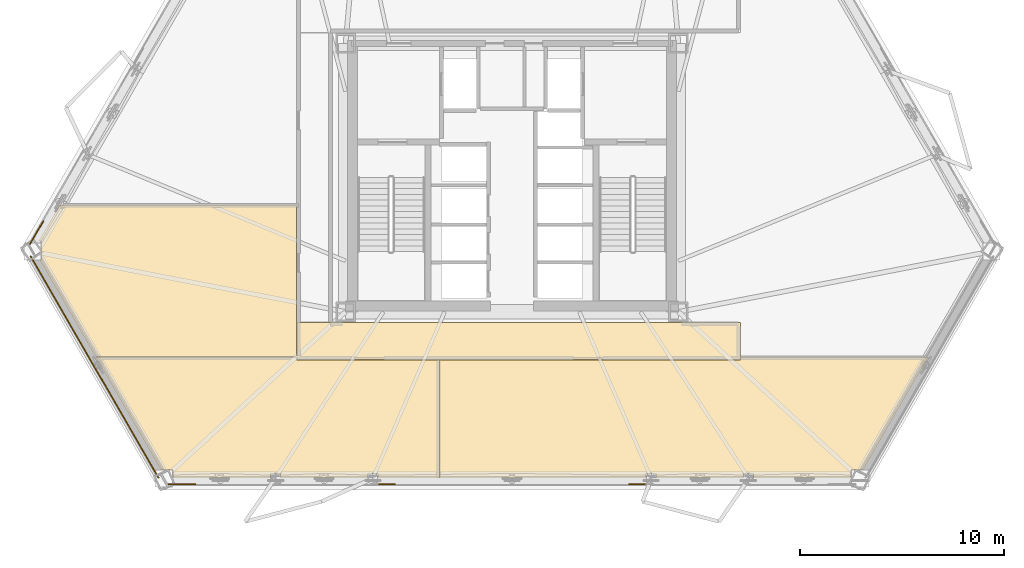
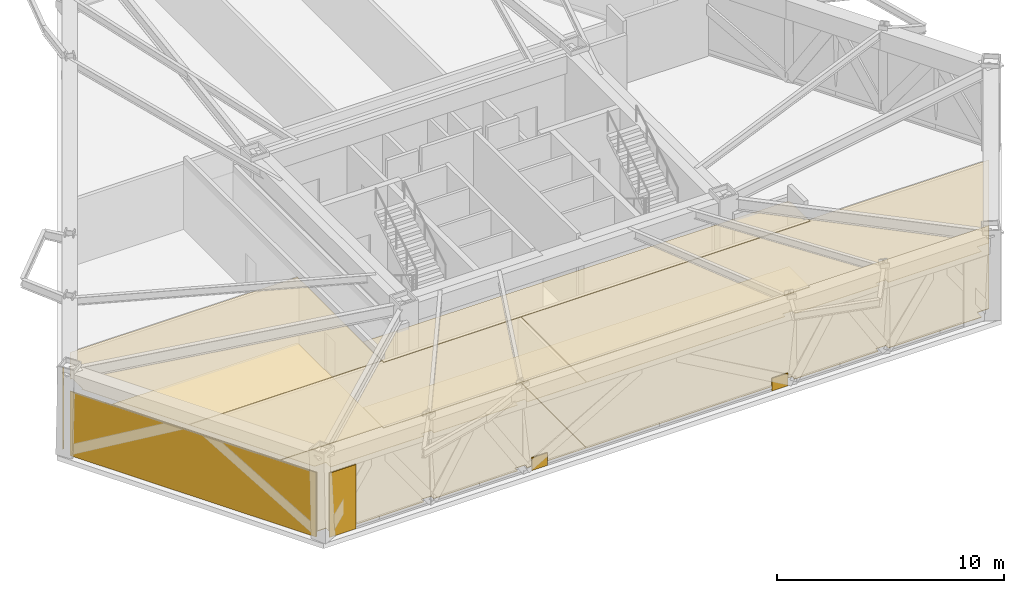
# One storey, part 9 of 11: 13 coverings.
"""IFC4 building model written with IfcOpenShell, lengths in metres."""

from ifc_helpers import new_model, si_unit, direction, frame, origin, origin_2d, place, context, subcontext, project, spatial, polyline, rectangle, outline, extrude, material, layer, layer_set, type_object, element, save


model = new_model("IFC4")

# Units and contexts
model_context = context("Model", 3, precision=1e-05, world=origin(), true_north=direction((0.0, 1.0)))
body_context = subcontext(model_context, "Body", "Model", "MODEL_VIEW")
ifc_project = project(units=[si_unit("LENGTHUNIT", "METRE"), si_unit("AREAUNIT", "SQUARE_METRE"), si_unit("VOLUMEUNIT", "CUBIC_METRE"), si_unit("PLANEANGLEUNIT", "RADIAN"), si_unit("MASSUNIT", "GRAM", prefix="KILO")], contexts=[model_context])

# Site, building, storey
site_placement = place(None, origin())
site = spatial("IfcSite", under=ifc_project, at=site_placement, CompositionType="ELEMENT")
building_placement = place(site_placement, origin())
building = spatial("IfcBuilding", under=site, at=building_placement, Name="Oramaril Tower", CompositionType="ELEMENT")
storey_placement = place(building_placement, frame((0.0, 0.0, 77.699951171875)))
storey = spatial("IfcBuildingStorey", under=building, at=storey_placement, Name="L20", CompositionType="ELEMENT", Elevation=77.699951171875)

# Coverings
ifc_material_1 = material(Name="Mineral Fibre Acoustic Ceiling")
ifc_layer_1 = layer(ifc_material_1, 0.02001953125)
ifc_layer_set_1 = layer_set([ifc_layer_1], Name="CVT-CEIL")
covering_type_1 = type_object("IfcCoveringType", Name="CVT-CEIL", PredefinedType="CEILING", material=ifc_layer_set_1)
covering_1_placement = place(storey_placement, frame((0.0, 0.0, 3.5419921875)))
element("IfcCovering", 1, at=covering_1_placement, inside=storey, type_object=covering_type_1, Name="L20 Acoustic Suspended Ceiling 1", PredefinedType="CEILING", context=body_context, shape_type="SweptSolid", body=[
    extrude(outline(polyline([(48.679931640625, 10.47998046875), (48.679931640625, 8.669921875), (26.969970703125, 8.669921875), (26.969970703125, 10.47998046875), (48.679931640625, 10.47998046875)])), origin(), (0.0, 0.0, 1.0), 0.02001953125),
])
covering_2_placement = place(storey_placement, frame((0.0, 0.0, 3.5419921875)))
element("IfcCovering", 2, at=covering_2_placement, inside=storey, type_object=covering_type_1, Name="L20 Acoustic Suspended Ceiling 4", PredefinedType="CEILING", context=body_context, shape_type="SweptSolid", body=[
    extrude(outline(polyline([(33.94189453125, 2.855224609375), (30.93212890625, 2.855224609375), (30.93212890625, 3.076171875), (30.44140625, 3.076171875), (30.44140625, 2.855224609375), (26.1689453125, 2.855224609375), (26.1689453125, 3.076171875), (25.666015625, 3.076171875), (25.666015625, 2.855224609375), (20.908203125, 2.855224609375), (20.908203125, 3.25927734375), (20.317138671875, 3.25927734375), (17.122802734375, 8.7919921875), (26.949951171875, 8.7919921875), (26.949951171875, 8.669921875), (26.9501953125, 8.66796875), (26.950439453125, 8.666015625), (26.950927734375, 8.664306640625), (26.951416015625, 8.662353515625), (26.952392578125, 8.66064453125), (26.953369140625, 8.658935546875), (26.95458984375, 8.6572265625), (26.955810546875, 8.656005859375), (26.957275390625, 8.654541015625), (26.958984375, 8.6533203125), (26.960693359375, 8.65234375), (26.96240234375, 8.651611328125), (26.964111328125, 8.65087890625), (26.966064453125, 8.650390625), (26.968017578125, 8.650146484375), (26.969970703125, 8.64990234375), (33.94189453125, 8.64990234375), (33.94189453125, 2.855224609375)])), origin(), (0.0, 0.0, 1.0), 0.02001953125),
])
covering_3_placement = place(storey_placement, frame((0.0, 0.0, 3.5419921875)))
element("IfcCovering", 3, at=covering_3_placement, inside=storey, type_object=covering_type_1, Name="L20 Acoustic Suspended Ceiling 5", PredefinedType="CEILING", context=body_context, shape_type="SweptSolid", body=[
    extrude(outline(polyline([(49.333984375, 3.076171875), (48.8310546875, 3.076171875), (48.8310546875, 2.855224609375), (44.55859375, 2.855224609375), (44.55859375, 3.076171875), (44.06787109375, 3.076171875), (44.06787109375, 2.855224609375), (33.9619140625, 2.855224609375), (33.9619140625, 8.64990234375), (48.679931640625, 8.64990234375), (48.681884765625, 8.650146484375), (48.683837890625, 8.650390625), (48.685791015625, 8.65087890625), (48.687744140625, 8.651611328125), (48.689453125, 8.65234375), (48.691162109375, 8.6533203125), (48.692626953125, 8.654541015625), (48.694091796875, 8.656005859375), (48.695556640625, 8.6572265625), (48.696533203125, 8.658935546875), (48.697509765625, 8.66064453125), (48.698486328125, 8.662353515625), (48.69921875, 8.664306640625), (48.69970703125, 8.666015625), (48.699951171875, 8.66796875), (48.699951171875, 8.669921875), (48.699951171875, 8.7919921875), (57.877197265625, 8.7919921875), (54.682861328125, 3.25927734375), (54.091796875, 3.25927734375), (54.091796875, 2.855224609375), (49.333984375, 2.855224609375), (49.333984375, 3.076171875)])), origin(), (0.0, 0.0, 1.0), 0.02001953125),
])
covering_4_placement = place(storey_placement, frame((0.0, 0.0, 3.5419921875)))
element("IfcCovering", 4, at=covering_4_placement, inside=storey, type_object=covering_type_1, Name="L20 Acoustic Suspended Ceiling 6", PredefinedType="CEILING", context=body_context, shape_type="SweptSolid", body=[
    extrude(outline(polyline([(14.381103515625, 13.541015625), (14.444580078125, 13.541015625), (14.444580078125, 14.463623046875), (14.33349609375, 14.463623046875), (15.360107421875, 16.241943359375), (26.949951171875, 16.241943359375), (26.949951171875, 10.5), (26.9501953125, 10.498046875), (26.950439453125, 10.49609375), (26.950927734375, 10.494140625), (26.951416015625, 10.4921875), (26.952392578125, 10.490478515625), (26.95263671875, 10.489990234375), (26.952392578125, 10.489501953125), (26.951416015625, 10.48779296875), (26.950927734375, 10.48583984375), (26.950439453125, 10.48388671875), (26.9501953125, 10.48193359375), (26.949951171875, 10.47998046875), (26.949951171875, 8.81201171875), (17.122802734375, 8.81201171875), (17.120849609375, 8.81201171875), (17.118896484375, 8.8115234375), (17.116943359375, 8.81103515625), (17.115234375, 8.810302734375), (17.11328125, 8.8095703125), (17.11279296875, 8.809326171875), (14.381103515625, 13.541015625)])), origin(), (0.0, 0.0, 1.0), 0.02001953125),
])
ifc_material_2 = material(Name="Warm Cream Limestone", Category="masonry")
ifc_layer_2 = layer(ifc_material_2, 0.050048828125)
ifc_layer_set_2 = layer_set([ifc_layer_2], Name="CVT-CLD")
covering_type_2 = type_object("IfcCoveringType", Name="CVT-CLD", PredefinedType="CLADDING", material=ifc_layer_set_2)
covering_5_placement = place(storey_placement, frame((17.06005859375, 8.299072265625, 0.0400390625), z_axis=(0.0, 0.0, 1.0), x_axis=(0.499992442484, -0.866029767075, 0.0)))
element("IfcCovering", 5, at=covering_5_placement, inside=storey, type_object=covering_type_2, Name="L20 Warm Cream Limestone Cladding", PredefinedType="CLADDING", context=body_context, shape_type="SweptSolid", body=[
    extrude(rectangle(XDim=12.5439453125, YDim=0.050048828125, at=origin_2d()), origin(), (0.0, 0.0, 1.0), 3.469970703125),
])
covering_6_placement = place(storey_placement, frame((21.338134765625, 2.55419921875, 0.0400390625), z_axis=(0.0, 0.0, 1.0), x_axis=(1.0, 0.0, 0.0)))
element("IfcCovering", 6, at=covering_6_placement, inside=storey, type_object=covering_type_2, Name="L20 Warm Cream Limestone Cladding", PredefinedType="CLADDING", context=body_context, shape_type="SweptSolid", body=[
    extrude(rectangle(XDim=1.35009765625, YDim=0.050048828125, at=origin_2d()), origin(), (0.0, 0.0, 1.0), 3.469970703125),
])
for number, where, z_axis, x_axis, name in (
    (7, (31.375732421875, 2.55419921875, 0.0400390625), (0.0, 0.0, 1.0), (1.0, 0.0, 0.0), "L20 Warm Cream Limestone Spandrel Cladding"),
    (8, (43.624267578125, 2.55419921875, 0.0400390625), (0.0, 0.0, 1.0), (1.0, 0.0, 0.0), "L20 Warm Cream Limestone Spandrel Cladding"),
):
    element("IfcCovering", number, at=place(storey_placement, frame(where, z_axis=z_axis, x_axis=x_axis)), inside=storey, type_object=covering_type_2, Name=name, PredefinedType="CLADDING", context=body_context, shape_type="SweptSolid", body=[
        extrude(rectangle(XDim=0.800048828125, YDim=0.050048828125, at=origin_2d()), origin(), (0.0, 0.0, 1.0), 0.679931640625),
    ])
covering_7_placement = place(storey_placement, frame((14.22412109375, 14.876220703125, 0.0400390625), z_axis=(0.0, 0.0, 1.0), x_axis=(-0.4999984885, -0.866026276448, 0.0)))
element("IfcCovering", 9, at=covering_7_placement, inside=storey, type_object=covering_type_2, Name="L20 Warm Cream Limestone Cladding", PredefinedType="CLADDING", context=body_context, shape_type="SweptSolid", body=[
    extrude(rectangle(XDim=1.35009765625, YDim=0.050048828125, at=origin_2d()), origin(), (0.0, 0.0, 1.0), 3.469970703125),
])
ifc_material_3 = material(Name="Honed Quartzite Stone Flooring", Category="masonry")
ifc_layer_3 = layer(ifc_material_3, 0.02490234375)
ifc_layer_set_3 = layer_set([ifc_layer_3], Name="CVT-FLR")
covering_type_3 = type_object("IfcCoveringType", Name="CVT-FLR", PredefinedType="FLOORING", material=ifc_layer_set_3)
covering_8_placement = place(storey_placement, origin())
element("IfcCovering", 10, at=covering_8_placement, inside=storey, type_object=covering_type_3, Name="L20 Honed Stone Floor Finish 1", PredefinedType="FLOORING", context=body_context, shape_type="SweptSolid", body=[
    extrude(outline(polyline([(48.679931640625, 10.47998046875), (48.679931640625, 8.669921875), (26.969970703125, 8.669921875), (26.969970703125, 10.47998046875), (48.679931640625, 10.47998046875)])), origin(), (0.0, 0.0, 1.0), 0.025146484375),
])
covering_9_placement = place(storey_placement, origin())
element("IfcCovering", 11, at=covering_9_placement, inside=storey, type_object=covering_type_3, Name="L20 Honed Stone Floor Finish 4", PredefinedType="FLOORING", context=body_context, shape_type="SweptSolid", body=[
    extrude(outline(polyline([(33.94189453125, 2.855224609375), (30.93212890625, 2.855224609375), (30.93212890625, 3.076171875), (30.44140625, 3.076171875), (30.44140625, 2.855224609375), (26.1689453125, 2.855224609375), (26.1689453125, 3.076171875), (25.666015625, 3.076171875), (25.666015625, 2.855224609375), (20.908203125, 2.855224609375), (20.908203125, 3.25927734375), (20.317138671875, 3.25927734375), (17.122802734375, 8.7919921875), (26.949951171875, 8.7919921875), (26.949951171875, 8.669921875), (26.9501953125, 8.66796875), (26.950439453125, 8.666015625), (26.950927734375, 8.664306640625), (26.951416015625, 8.662353515625), (26.952392578125, 8.66064453125), (26.953369140625, 8.658935546875), (26.95458984375, 8.6572265625), (26.955810546875, 8.656005859375), (26.957275390625, 8.654541015625), (26.958984375, 8.6533203125), (26.960693359375, 8.65234375), (26.96240234375, 8.651611328125), (26.964111328125, 8.65087890625), (26.966064453125, 8.650390625), (26.968017578125, 8.650146484375), (26.969970703125, 8.64990234375), (33.94189453125, 8.64990234375), (33.94189453125, 2.855224609375)])), origin(), (0.0, 0.0, 1.0), 0.025146484375),
])
covering_10_placement = place(storey_placement, origin())
element("IfcCovering", 12, at=covering_10_placement, inside=storey, type_object=covering_type_3, Name="L20 Honed Stone Floor Finish 5", PredefinedType="FLOORING", context=body_context, shape_type="SweptSolid", body=[
    extrude(outline(polyline([(49.333984375, 3.076171875), (48.8310546875, 3.076171875), (48.8310546875, 2.855224609375), (44.55859375, 2.855224609375), (44.55859375, 3.076171875), (44.06787109375, 3.076171875), (44.06787109375, 2.855224609375), (33.9619140625, 2.855224609375), (33.9619140625, 8.64990234375), (48.679931640625, 8.64990234375), (48.681884765625, 8.650146484375), (48.683837890625, 8.650390625), (48.685791015625, 8.65087890625), (48.687744140625, 8.651611328125), (48.689453125, 8.65234375), (48.691162109375, 8.6533203125), (48.692626953125, 8.654541015625), (48.694091796875, 8.656005859375), (48.695556640625, 8.6572265625), (48.696533203125, 8.658935546875), (48.697509765625, 8.66064453125), (48.698486328125, 8.662353515625), (48.69921875, 8.664306640625), (48.69970703125, 8.666015625), (48.699951171875, 8.66796875), (48.699951171875, 8.669921875), (48.699951171875, 8.7919921875), (57.877197265625, 8.7919921875), (54.682861328125, 3.25927734375), (54.091796875, 3.25927734375), (54.091796875, 2.855224609375), (49.333984375, 2.855224609375), (49.333984375, 3.076171875)])), origin(), (0.0, 0.0, 1.0), 0.025146484375),
])
covering_11_placement = place(storey_placement, origin())
element("IfcCovering", 13, at=covering_11_placement, inside=storey, type_object=covering_type_3, Name="L20 Honed Stone Floor Finish 6", PredefinedType="FLOORING", context=body_context, shape_type="SweptSolid", body=[
    extrude(outline(polyline([(14.381103515625, 13.541015625), (14.444580078125, 13.541015625), (14.444580078125, 14.463623046875), (14.33349609375, 14.463623046875), (15.360107421875, 16.241943359375), (26.949951171875, 16.241943359375), (26.949951171875, 10.5), (26.9501953125, 10.498046875), (26.950439453125, 10.49609375), (26.950927734375, 10.494140625), (26.951416015625, 10.4921875), (26.952392578125, 10.490478515625), (26.95263671875, 10.489990234375), (26.952392578125, 10.489501953125), (26.951416015625, 10.48779296875), (26.950927734375, 10.48583984375), (26.950439453125, 10.48388671875), (26.9501953125, 10.48193359375), (26.949951171875, 10.47998046875), (26.949951171875, 8.81201171875), (17.122802734375, 8.81201171875), (17.120849609375, 8.81201171875), (17.118896484375, 8.8115234375), (17.116943359375, 8.81103515625), (17.115234375, 8.810302734375), (17.11328125, 8.8095703125), (17.11279296875, 8.809326171875), (14.381103515625, 13.541015625)])), origin(), (0.0, 0.0, 1.0), 0.025146484375),
])

save(model, "model.ifc")
